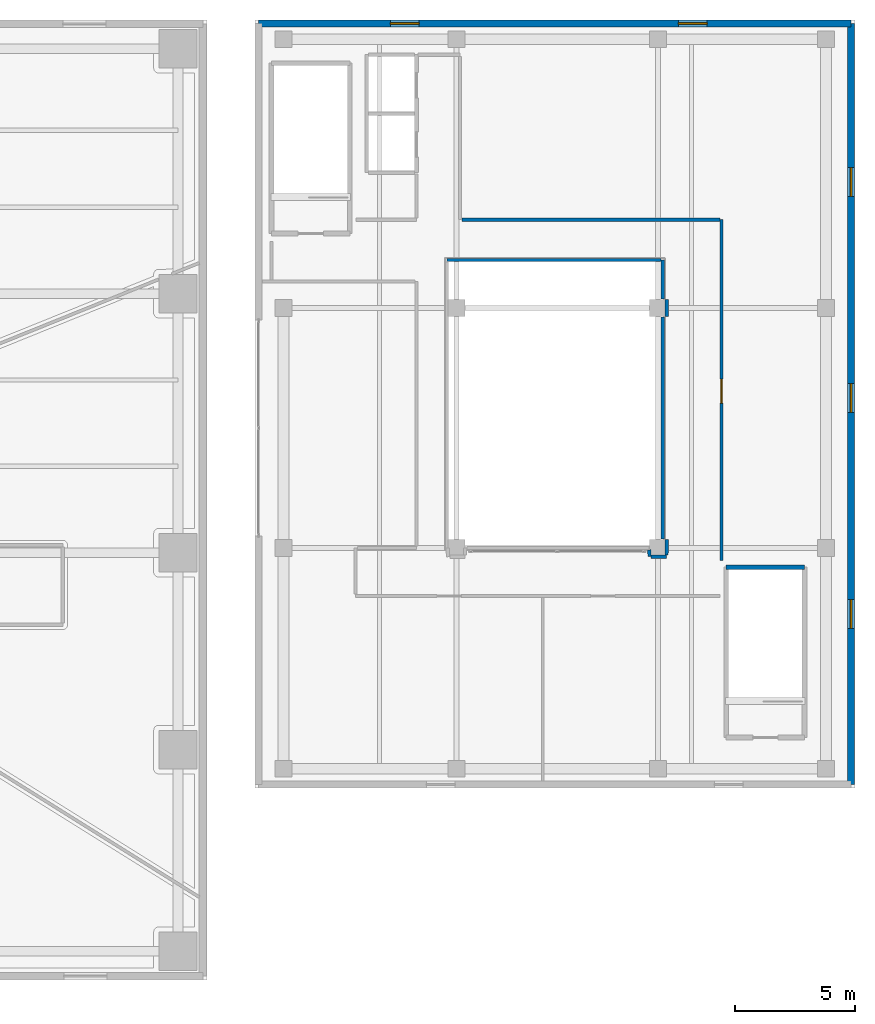
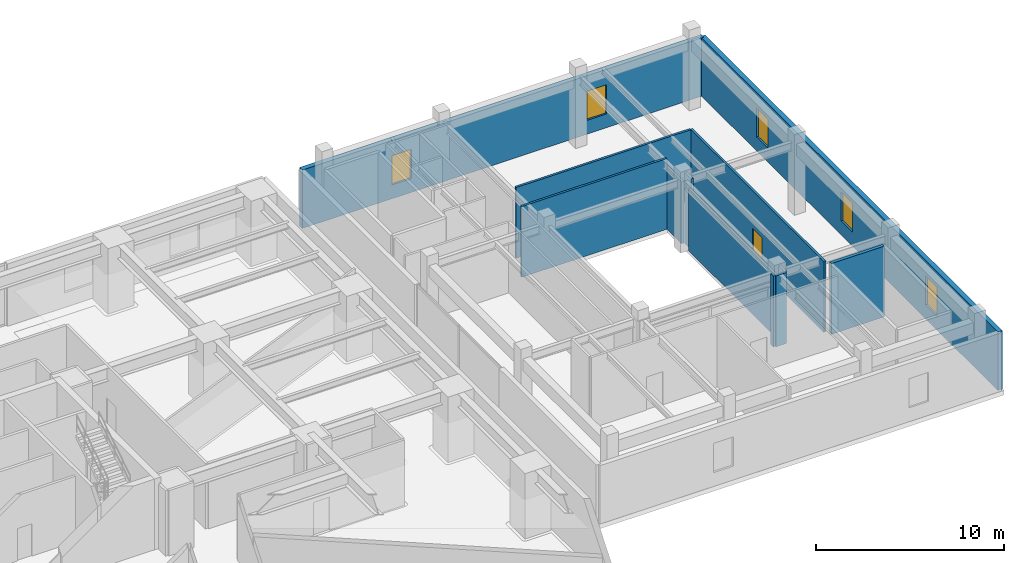
# One storey, part 21 of 25: 12 walls, 5 windows, 1 door, 6 openings.
"""IFC4 building model written with IfcOpenShell, lengths in metres."""

import ifcopenshell
import ifcopenshell.guid

model = None  # the IFC model being written
_history = None  # IfcOwnerHistory: only IFC2X3 demands one
_inside = {}  # id of a spatial element -> (the spatial element, [elements in it])
_under = {}  # id of a project, library or spatial element -> (it, [spatial elements below it])
_declared = {}  # id of a project -> (the project, [libraries it declares])
_typed = {}  # id of a type object -> (the type object, [elements of that type])
_made_of = {}  # id of a material, layer set ... -> (it, [elements and type objects made of it])


def new_model(schema):
    """Start an empty IFC model of exactly this schema.

    Asked for "IFC4X3", IfcOpenShell would pick the latest addendum, in which some entities
    have other attributes; the version numbers below select the first issue.
    IFC2X3 requires an IfcOwnerHistory on every rooted entity: one is made here for all.
    """
    global model, _history
    if schema == "IFC4X3":
        model = ifcopenshell.file(schema_version=(4, 3, 0, 0))
    else:
        model = ifcopenshell.file(schema=schema)
    _inside.clear()
    _under.clear()
    _declared.clear()
    _typed.clear()
    _made_of.clear()
    _history = None
    if model.schema == "IFC2X3":
        org = make("IfcOrganization", Name="unknown")
        user = make(
            "IfcPersonAndOrganization",
            ThePerson=make("IfcPerson", FamilyName="unknown"),
            TheOrganization=org,
        )
        app = make(
            "IfcApplication",
            ApplicationDeveloper=org,
            Version="unknown",
            ApplicationFullName="unknown",
            ApplicationIdentifier="unknown",
        )
        _history = make(
            "IfcOwnerHistory",
            OwningUser=user,
            OwningApplication=app,
            ChangeAction="ADDED",
            CreationDate=0,
        )
    return model


def make(cls, **values):
    """One entity of the class cls with the attributes given. An attribute that is None is left unset."""
    return model.create_entity(
        cls, **{name: value for name, value in values.items() if value is not None}
    )


def rooted(cls, **values):
    """An entity with a GlobalId (a new one), such as an element, a storey or a relation."""
    return make(cls, GlobalId=ifcopenshell.guid.new(), OwnerHistory=_history, **values)


def si_unit(unit_type, name, prefix=None):
    """IfcSIUnit, for example si_unit("LENGTHUNIT", "METRE", prefix="MILLI")."""
    return make("IfcSIUnit", UnitType=unit_type, Prefix=prefix, Name=name)


def assignment(units):
    """IfcUnitAssignment: the units of a project."""
    return None if units is None else make("IfcUnitAssignment", Units=units)


def point(xyz):
    """IfcCartesianPoint."""
    return None if xyz is None else make("IfcCartesianPoint", Coordinates=xyz)


def direction(xyz):
    """IfcDirection."""
    return None if xyz is None else make("IfcDirection", DirectionRatios=xyz)


def frame(location, z_axis=None, x_axis=None):
    """IfcAxis2Placement3D, a coordinate frame: its origin and axes. An axis left out is left unset."""
    return make(
        "IfcAxis2Placement3D",
        Location=point(location),
        Axis=direction(z_axis),
        RefDirection=direction(x_axis),
    )


def frame_2d(location, x_axis=None):
    """IfcAxis2Placement2D, a coordinate frame in the plane: its origin and x axis."""
    return make(
        "IfcAxis2Placement2D", Location=point(location), RefDirection=direction(x_axis)
    )


def origin():
    """The frame at (0, 0, 0) with its axes left unset."""
    return frame((0.0, 0.0, 0.0))


def place(relative_to, where):
    """IfcLocalPlacement: puts the frame where relative to a parent placement (None: the world)."""
    return make(
        "IfcLocalPlacement", PlacementRelTo=relative_to, RelativePlacement=where
    )


def context(
    kind, dimensions, precision=None, world=None, true_north=None, identifier=None
):
    """IfcGeometricRepresentationContext, for example the 3D "Model" context."""
    return make(
        "IfcGeometricRepresentationContext",
        ContextIdentifier=identifier,
        ContextType=kind,
        CoordinateSpaceDimension=dimensions,
        Precision=precision,
        WorldCoordinateSystem=world,
        TrueNorth=true_north,
    )


def subcontext(parent, identifier, kind, view, scale=None):
    """IfcGeometricRepresentationSubContext, for example "Body" below "Model"."""
    return make(
        "IfcGeometricRepresentationSubContext",
        ContextIdentifier=identifier,
        ContextType=kind,
        ParentContext=parent,
        TargetScale=scale,
        TargetView=view,
    )


def project(units=None, contexts=None):
    """IfcProject with its units and contexts."""
    return rooted(
        "IfcProject",
        Name="project",
        RepresentationContexts=contexts,
        UnitsInContext=assignment(units),
    )


def spatial(cls, under=None, at=None, **own):
    """A site, building, storey or space (cls), placed at a placement, below another one or the project."""
    s = rooted(cls, ObjectPlacement=at, **own)
    if under is not None:
        _under.setdefault(under.id(), (under, []))[1].append(s)
    return s


def profile(cls, at=None, kind="AREA", **sizes):
    """A parametric profile (cls). Its sizes go by their IFC names, for example OverallWidth=200.0."""
    return make(cls, ProfileType=kind, Position=at, **sizes)


def rectangle(**sizes):
    """IfcRectangleProfileDef."""
    return profile("IfcRectangleProfileDef", **sizes)


def extrude(swept, where, along, depth):
    """IfcExtrudedAreaSolid: the profile swept, set in the frame where, extruded along a direction by depth."""
    return make(
        "IfcExtrudedAreaSolid",
        SweptArea=swept,
        Position=where,
        ExtrudedDirection=direction(along),
        Depth=depth,
    )


def shape(context_of_items, identifier, shape_type, items):
    """IfcShapeRepresentation: the items that make up one representation, for example the "Body"."""
    return make(
        "IfcShapeRepresentation",
        ContextOfItems=context_of_items,
        RepresentationIdentifier=identifier,
        RepresentationType=shape_type,
        Items=items,
    )


def source(mapping_origin, context_of_items, identifier, shape_type, items):
    """IfcRepresentationMap: a shape defined once, which mapped items show again and again."""
    return make(
        "IfcRepresentationMap",
        MappingOrigin=mapping_origin,
        MappedRepresentation=shape(context_of_items, identifier, shape_type, items),
    )


def transform(
    local_origin,
    x_axis=None,
    y_axis=None,
    z_axis=None,
    scale=None,
    scale2=None,
    scale3=None,
    uniform=True,
):
    """IfcCartesianTransformationOperator3D, or its non-uniform kind. x_axis, y_axis, z_axis: its Axis1, 2, 3."""
    if uniform:
        return make(
            "IfcCartesianTransformationOperator3D",
            Axis1=direction(x_axis),
            Axis2=direction(y_axis),
            LocalOrigin=point(local_origin),
            Scale=scale,
            Axis3=direction(z_axis),
        )
    return make(
        "IfcCartesianTransformationOperator3DnonUniform",
        Axis1=direction(x_axis),
        Axis2=direction(y_axis),
        LocalOrigin=point(local_origin),
        Scale=scale,
        Axis3=direction(z_axis),
        Scale2=scale2,
        Scale3=scale3,
    )


def mapped(mapping_source, mapping_target):
    """IfcMappedItem: shows the shape of a source again, moved by a transform."""
    return make(
        "IfcMappedItem", MappingSource=mapping_source, MappingTarget=mapping_target
    )


def material(Name=None, Category=None):
    """IfcMaterial."""
    return make("IfcMaterial", Name=Name, Category=Category)


def layer(
    of_material, thickness, ventilated=None, Name=None, Category=None, Priority=None
):
    """IfcMaterialLayer: one layer of a wall or slab, of a material (None: an air gap)."""
    return make(
        "IfcMaterialLayer",
        Material=of_material,
        LayerThickness=thickness,
        IsVentilated=ventilated,
        Name=Name,
        Category=Category,
        Priority=Priority,
    )


def layer_set(layers, Name=None):
    """IfcMaterialLayerSet."""
    return make("IfcMaterialLayerSet", MaterialLayers=layers, LayerSetName=Name)


def made_of(thing, what):
    """Note that an element or type object is made of a material, layer set ...; save() writes the relation."""
    if what is not None:
        _made_of.setdefault(what.id(), (what, []))[1].append(thing)
    return thing


def type_object(cls, material=None, **own):
    """A type object (cls), such as IfcWallType, which elements share."""
    return made_of(rooted(cls, **own), material)


def type_shapes(of_type, sources):
    """Give a type object the sources (RepresentationMaps) that its elements show as mapped items."""
    of_type.RepresentationMaps = sources


def element(
    cls,
    number,
    at=None,
    inside=None,
    cuts=None,
    type_object=None,
    material=None,
    context=None,
    identifier="Body",
    shape_type=None,
    held_by="IfcProductDefinitionShape",
    body=None,
    shapes=None,
    **own,
):
    """One element of the class cls, such as IfcWall. Its Tag is "e" and its number.

    at: its placement. inside: the storey or other place that contains it. cuts: it is an
    opening in that element (IfcRelVoidsElement). A single representation is given by context,
    identifier, shape_type and body (its items); several are given by shapes. held_by: the class
    of the entity that holds the representations. save() writes the other relations.
    """
    e = rooted(cls, Tag="e%d" % number, ObjectPlacement=at, **own)
    if body is not None:
        shapes = [shape(context, identifier, shape_type, body)]
    if shapes is not None:
        e.Representation = make(held_by, Representations=shapes)
    if inside is not None:
        _inside.setdefault(inside.id(), (inside, []))[1].append(e)
    if cuts is not None:
        rooted(
            "IfcRelVoidsElement", RelatingBuildingElement=cuts, RelatedOpeningElement=e
        )
    if type_object is not None:
        _typed.setdefault(type_object.id(), (type_object, []))[1].append(e)
    return made_of(e, material)


def fill(opening, filler):
    """IfcRelFillsElement: the door or window that sits in an opening."""
    return rooted(
        "IfcRelFillsElement",
        RelatingOpeningElement=opening,
        RelatedBuildingElement=filler,
    )


def aggregate(whole, parts):
    """IfcRelAggregates: a whole, such as a stair, and the parts it consists of."""
    return rooted("IfcRelAggregates", RelatingObject=whole, RelatedObjects=parts)


def save(model, path):
    """Write the relations noted so far, then the file.

    IfcRelAggregates (storeys below a building ...), IfcRelContainedInSpatialStructure (elements
    in a storey), IfcRelDefinesByType, IfcRelAssociatesMaterial and IfcRelDeclares: one each for
    every whole, place, type object, material and project.
    """
    for whole, parts in _under.values():
        aggregate(whole, parts)
    for where, things in _inside.values():
        rooted(
            "IfcRelContainedInSpatialStructure",
            RelatedElements=things,
            RelatingStructure=where,
        )
    for kind, things in _typed.values():
        rooted("IfcRelDefinesByType", RelatedObjects=things, RelatingType=kind)
    for what, things in _made_of.values():
        rooted("IfcRelAssociatesMaterial", RelatedObjects=things, RelatingMaterial=what)
    for by, libraries in _declared.values():
        rooted("IfcRelDeclares", RelatingContext=by, RelatedDefinitions=libraries)
    model.write(path)


model = new_model("IFC4")

# Units and contexts
model_context = context("Model", 3, precision=1e-05, world=origin(), true_north=direction((0.0, 1.0)))
body_context = subcontext(model_context, "Body", "Model", "MODEL_VIEW")
ifc_project = project(units=[si_unit("LENGTHUNIT", "METRE"), si_unit("AREAUNIT", "SQUARE_METRE"), si_unit("VOLUMEUNIT", "CUBIC_METRE"), si_unit("PLANEANGLEUNIT", "RADIAN"), si_unit("MASSUNIT", "GRAM", prefix="KILO")], contexts=[model_context])

# Site, building, storey
site_placement = place(None, origin())
site = spatial("IfcSite", under=ifc_project, at=site_placement, CompositionType="ELEMENT")
building_placement = place(site_placement, origin())
building = spatial("IfcBuilding", under=site, at=building_placement, Name="Talar Marvaseh", CompositionType="ELEMENT")
storey_placement = place(building_placement, frame((0.0, 0.0, 14.39990234375)))
storey = spatial("IfcBuildingStorey", under=building, at=storey_placement, Name="L03", CompositionType="ELEMENT", Elevation=14.39990234375)

# Wall, opening, door
ifc_material_1 = material(Name="Gypsum Board Partition Assembly")
ifc_layer_1 = layer(ifc_material_1, 0.135009765625)
ifc_layer_set_1 = layer_set([ifc_layer_1], Name="Gypsum Board Partition Assembly")
wall_type_1 = type_object("IfcWallType", Name="Gallery High-Acoustic Partition 135", PredefinedType="PARTITIONING", material=ifc_layer_set_1)
wall_1_placement = place(storey_placement, frame((73.449951171875, 39.679931640625, 0.0), z_axis=(0.0, 0.0, 1.0), x_axis=(0.0, -1.0, 0.0)))
wall_1 = element("IfcWall", 1, at=wall_1_placement, inside=storey, type_object=wall_type_1, Name="L03 Interior Partition Wall", PredefinedType="PARTITIONING", context=body_context, shape_type="SweptSolid", body=[
    extrude(rectangle(XDim=14.2099609375, YDim=0.135009765625, at=frame_2d((7.10498046875, 0.0))), origin(), (0.0, 0.0, 1.0), 4.60009765625),
])
opening_1_placement = place(wall_1_placement, frame((6.639892578125, 0.0, 0.0)))
opening_1 = element("IfcOpeningElement", 2, at=opening_1_placement, cuts=wall_1, Name="Opening DR-RM100", PredefinedType="OPENING", context=body_context, shape_type="SweptSolid", body=[
    extrude(rectangle(XDim=1.0, YDim=2.14990234375, at=frame_2d((0.5, 1.074951171875))), frame((0.0, 0.07763671875, 0.0), z_axis=(0.0, -1.0, 0.0), x_axis=(1.0, 0.0, 0.0)), (0.0, 0.0, 1.0), 0.155029296875),
])
ifc_material_2 = material(Name="Acoustic Engineered Oak Timber", Category="wood")
door_type = type_object("IfcDoorType", Name="Corridor Fire-Rated Gallery Door 1000x2150", OperationType="NOTDEFINED", PredefinedType="DOOR", material=ifc_material_2)
shared_shape_1 = source(origin(), body_context, "Body", "SweptSolid", [
    extrude(rectangle(XDim=1.0, YDim=2.14990234375, at=frame_2d((0.5, 1.074951171875))), frame((0.0, 0.02490234375, 0.0), z_axis=(0.0, -1.0, 0.0), x_axis=(1.0, 0.0, 0.0)), (0.0, 0.0, 1.0), 0.050048828125),
])
type_shapes(door_type, [shared_shape_1])
door_placement = place(opening_1_placement, origin())
door = element("IfcDoor", 3, at=door_placement, inside=storey, type_object=door_type, Name="L03 Traditional Music Salon Door", OperationType="SINGLE_SWING_LEFT", OverallHeight=2.14990234375, OverallWidth=1.0, PredefinedType="DOOR", context=body_context, shape_type="MappedRepresentation", body=[
    mapped(shared_shape_1, transform((0.0, 0.0, 0.0), x_axis=(1.0, 0.0, 0.0), y_axis=(0.0, 1.0, 0.0), z_axis=(0.0, 0.0, 1.0), scale=1.0)),
])
fill(opening_1, door)

# Walls
wall_2_placement = place(storey_placement, frame((62.62353515625, 39.679931640625, 0.0), z_axis=(0.0, 0.0, 1.0), x_axis=(1.0, 0.0, 0.0)))
element("IfcWall", 4, at=wall_2_placement, inside=storey, type_object=wall_type_1, Name="L03 Interior Partition Wall", PredefinedType="PARTITIONING", context=body_context, shape_type="SweptSolid", body=[
    extrude(rectangle(XDim=10.7529296875, YDim=0.135009765625, at=frame_2d((5.37646484375, 0.0))), origin(), (0.0, 0.0, 1.0), 4.60009765625),
])
wall_3_placement = place(storey_placement, frame((70.4365234375, 25.926513671875, 0.0), z_axis=(0.0, 0.0, 1.0), x_axis=(0.021898706873, -0.999760194565, 0.0)))
element("IfcWall", 5, at=wall_3_placement, inside=storey, type_object=wall_type_1, Name="L03 Interior Partition Wall", PredefinedType="PARTITIONING", context=body_context, shape_type="SweptSolid", body=[
    extrude(rectangle(XDim=0.289794921875, YDim=0.135009765625, at=frame_2d((0.14501953125, 0.0))), origin(), (0.0, 0.0, 1.0), 4.60009765625),
])
for number, where, z_axis, x_axis, name in (
    (6, (70.516357421875, 25.63671875, 0.0), (0.0, 0.0, 1.0), (0.999999348925, 0.001141117553, 0.0), "L03 Interior Partition Wall"),
    (7, (71.158935546875, 25.7109375, 0.0), (0.0, 0.0, 1.0), (0.009128565999, 0.999958333773, 0.0), "L03 Interior Partition Wall"),
):
    element("IfcWall", number, at=place(storey_placement, frame(where, z_axis=z_axis, x_axis=x_axis)), inside=storey, type_object=wall_type_1, Name=name, PredefinedType="PARTITIONING", context=body_context, shape_type="SweptSolid", body=[
        extrude(rectangle(XDim=0.641845703125, YDim=0.135009765625, at=frame_2d((0.32080078125, 0.0))), origin(), (0.0, 0.0, 1.0), 4.60009765625),
    ])
wall_4_placement = place(storey_placement, frame((71.0, 26.364990234375, 0.0), z_axis=(0.0, 0.0, 1.0), x_axis=(0.0, 1.0, 0.0)))
element("IfcWall", 8, at=wall_4_placement, inside=storey, type_object=wall_type_1, Name="L03 Interior Partition Wall", PredefinedType="PARTITIONING", context=body_context, shape_type="SweptSolid", body=[
    extrude(rectangle(XDim=9.27001953125, YDim=0.135009765625, at=frame_2d((4.635009765625, 0.0))), origin(), (0.0, 0.0, 1.0), 4.031005859375),
])
wall_5_placement = place(storey_placement, frame((71.1650390625, 35.64990234375, 0.0), z_axis=(0.0, 0.0, 1.0), x_axis=(-0.000347342806, 0.999999939676, 0.0)))
element("IfcWall", 9, at=wall_5_placement, inside=storey, type_object=wall_type_1, Name="L03 Interior Partition Wall", PredefinedType="PARTITIONING", context=body_context, shape_type="SweptSolid", body=[
    extrude(rectangle(XDim=0.702880859375, YDim=0.135009765625, at=frame_2d((0.3515625, 0.0))), origin(), (0.0, 0.0, 1.0), 4.60009765625),
])
wall_6_placement = place(storey_placement, frame((71.0, 36.364990234375, 0.0), z_axis=(0.0, 0.0, 1.0), x_axis=(0.0, 1.0, 0.0)))
element("IfcWall", 10, at=wall_6_placement, inside=storey, type_object=wall_type_1, Name="L03 Interior Partition Wall", PredefinedType="PARTITIONING", context=body_context, shape_type="SweptSolid", body=[
    extrude(rectangle(XDim=1.635009765625, YDim=0.135009765625, at=frame_2d((0.8173828125, 0.0))), origin(), (0.0, 0.0, 1.0), 4.031005859375),
])
wall_7_placement = place(storey_placement, frame((70.926513671875, 38.0, 0.0), z_axis=(0.0, 0.0, 1.0), x_axis=(-1.0, 0.0, 0.0)))
element("IfcWall", 11, at=wall_7_placement, inside=storey, type_object=wall_type_1, Name="L03 Interior Partition Wall", PredefinedType="PARTITIONING", context=body_context, shape_type="SweptSolid", body=[
    extrude(rectangle(XDim=8.926513671875, YDim=0.135009765625, at=frame_2d((4.46337890625, 0.0))), origin(), (0.0, 0.0, 1.0), 4.60009765625),
])

# Wall, openings, windows
ifc_material_3 = material(Name="Precast concrete C45/55", Category="concrete")
ifc_layer_2 = layer(ifc_material_3, 0.2900390625)
ifc_layer_set_2 = layer_set([ifc_layer_2], Name="Precast concrete C45/55")
wall_type_2 = type_object("IfcWallType", Name="Market Hall Precast Limestone Bazaar Wall 290", PredefinedType="SOLIDWALL", material=ifc_layer_set_2)
wall_8_placement = place(storey_placement, frame((54.14990234375, 47.85009765625, 0.0), z_axis=(0.0, 0.0, 1.0), x_axis=(1.0, 0.0, 0.0)))
wall_8 = element("IfcWall", 12, at=wall_8_placement, inside=storey, type_object=wall_type_2, Name="L03 Market Hall North Promenade Wall", PredefinedType="SOLIDWALL", context=body_context, shape_type="SweptSolid", body=[
    extrude(rectangle(XDim=24.7001953125, YDim=0.2900390625, at=frame_2d((12.35009765625, 0.0))), origin(), (0.0, 0.0, 1.0), 3.800048828125),
])
opening_2_placement = place(wall_8_placement, frame((5.5, 0.0, 0.89990234375)))
opening_2 = element("IfcOpeningElement", 13, at=opening_2_placement, cuts=wall_8, Name="Opening WN-MKT12", PredefinedType="OPENING", context=body_context, shape_type="SweptSolid", body=[
    extrude(rectangle(XDim=1.199951171875, YDim=1.89990234375, at=frame_2d((0.60009765625, 0.949951171875))), frame((0.0, 0.155029296875, 0.0), z_axis=(0.0, -1.0, 0.0), x_axis=(1.0, 0.0, 0.0)), (0.0, 0.0, 1.0), 0.31005859375),
])
opening_3_placement = place(wall_8_placement, frame((17.5, 0.0, 0.89990234375)))
opening_3 = element("IfcOpeningElement", 14, at=opening_3_placement, cuts=wall_8, Name="Opening WN-MKT12", PredefinedType="OPENING", context=body_context, shape_type="SweptSolid", body=[
    extrude(rectangle(XDim=1.199951171875, YDim=1.89990234375, at=frame_2d((0.60009765625, 0.949951171875))), frame((0.0, 0.155029296875, 0.0), z_axis=(0.0, -1.0, 0.0), x_axis=(1.0, 0.0, 0.0)), (0.0, 0.0, 1.0), 0.31005859375),
])
ifc_material_4 = material(Name="Laminated Low-E Solar Glass", Category="glass")
window_type = type_object("IfcWindowType", Name="Market Hall Upper Gallery Window 1200x1900", PartitioningType="SINGLE_PANEL", PredefinedType="WINDOW", material=ifc_material_4)
shared_shape_2 = source(origin(), body_context, "Body", "SweptSolid", [
    extrude(rectangle(XDim=1.199951171875, YDim=1.89990234375, at=frame_2d((0.60009765625, 0.949951171875))), frame((0.0, 0.030029296875, 0.0), z_axis=(0.0, -1.0, 0.0), x_axis=(1.0, 0.0, 0.0)), (0.0, 0.0, 1.0), 0.06005859375),
])
type_shapes(window_type, [shared_shape_2])
window_1_placement = place(opening_2_placement, origin())
window_1 = element("IfcWindow", 15, at=window_1_placement, inside=storey, type_object=window_type, Name="L03 Market Bazaar Window", OverallHeight=1.89990234375, OverallWidth=1.199951171875, PartitioningType="SINGLE_PANEL", PredefinedType="WINDOW", context=body_context, shape_type="MappedRepresentation", body=[
    mapped(shared_shape_2, transform((0.0, 0.0, 0.0), x_axis=(1.0, 0.0, 0.0), y_axis=(0.0, 1.0, 0.0), z_axis=(0.0, 0.0, 1.0), scale=1.0)),
])
fill(opening_2, window_1)
window_2_placement = place(opening_3_placement, origin())
window_2 = element("IfcWindow", 16, at=window_2_placement, inside=storey, type_object=window_type, Name="L03 Market Bazaar Window", OverallHeight=1.89990234375, OverallWidth=1.199951171875, PartitioningType="SINGLE_PANEL", PredefinedType="WINDOW", context=body_context, shape_type="MappedRepresentation", body=[
    mapped(shared_shape_2, transform((0.0, 0.0, 0.0), x_axis=(1.0, 0.0, 0.0), y_axis=(0.0, 1.0, 0.0), z_axis=(0.0, 0.0, 1.0), scale=1.0)),
])
fill(opening_3, window_2)

wall_9_placement = place(storey_placement, frame((78.85009765625, 47.85009765625, 0.0), z_axis=(0.0, 0.0, 1.0), x_axis=(0.0, -1.0, 0.0)))
wall_9 = element("IfcWall", 17, at=wall_9_placement, inside=storey, type_object=wall_type_2, Name="L03 Market Hall East Facade Wall", PredefinedType="SOLIDWALL", context=body_context, shape_type="SweptSolid", body=[
    extrude(rectangle(XDim=31.7001953125, YDim=0.2900390625, at=frame_2d((15.85009765625, 0.0))), origin(), (0.0, 0.0, 1.0), 3.800048828125),
])
opening_4_placement = place(wall_9_placement, frame((6.0, 0.0, 0.89990234375)))
opening_4 = element("IfcOpeningElement", 18, at=opening_4_placement, cuts=wall_9, Name="Opening WN-MKT12", PredefinedType="OPENING", context=body_context, shape_type="SweptSolid", body=[
    extrude(rectangle(XDim=1.199951171875, YDim=1.89990234375, at=frame_2d((0.60009765625, 0.949951171875))), frame((0.0, 0.155029296875, 0.0), z_axis=(0.0, -1.0, 0.0), x_axis=(1.0, 0.0, 0.0)), (0.0, 0.0, 1.0), 0.31005859375),
])
opening_5_placement = place(wall_9_placement, frame((15.0, 0.0, 0.89990234375)))
opening_5 = element("IfcOpeningElement", 19, at=opening_5_placement, cuts=wall_9, Name="Opening WN-MKT12", PredefinedType="OPENING", context=body_context, shape_type="SweptSolid", body=[
    extrude(rectangle(XDim=1.199951171875, YDim=1.89990234375, at=frame_2d((0.60009765625, 0.949951171875))), frame((0.0, 0.155029296875, 0.0), z_axis=(0.0, -1.0, 0.0), x_axis=(1.0, 0.0, 0.0)), (0.0, 0.0, 1.0), 0.31005859375),
])
opening_6_placement = place(wall_9_placement, frame((24.0, 0.0, 0.89990234375)))
opening_6 = element("IfcOpeningElement", 20, at=opening_6_placement, cuts=wall_9, Name="Opening WN-MKT12", PredefinedType="OPENING", context=body_context, shape_type="SweptSolid", body=[
    extrude(rectangle(XDim=1.199951171875, YDim=1.89990234375, at=frame_2d((0.60009765625, 0.949951171875))), frame((0.0, 0.155029296875, 0.0), z_axis=(0.0, -1.0, 0.0), x_axis=(1.0, 0.0, 0.0)), (0.0, 0.0, 1.0), 0.31005859375),
])
window_3_placement = place(opening_4_placement, origin())
window_3 = element("IfcWindow", 21, at=window_3_placement, inside=storey, type_object=window_type, Name="L03 Market Bazaar Window", OverallHeight=1.89990234375, OverallWidth=1.199951171875, PartitioningType="SINGLE_PANEL", PredefinedType="WINDOW", context=body_context, shape_type="MappedRepresentation", body=[
    mapped(shared_shape_2, transform((0.0, 0.0, 0.0), x_axis=(1.0, 0.0, 0.0), y_axis=(0.0, 1.0, 0.0), z_axis=(0.0, 0.0, 1.0), scale=1.0)),
])
fill(opening_4, window_3)
window_4_placement = place(opening_5_placement, origin())
window_4 = element("IfcWindow", 22, at=window_4_placement, inside=storey, type_object=window_type, Name="L03 Market Bazaar Window", OverallHeight=1.89990234375, OverallWidth=1.199951171875, PartitioningType="SINGLE_PANEL", PredefinedType="WINDOW", context=body_context, shape_type="MappedRepresentation", body=[
    mapped(shared_shape_2, transform((0.0, 0.0, 0.0), x_axis=(1.0, 0.0, 0.0), y_axis=(0.0, 1.0, 0.0), z_axis=(0.0, 0.0, 1.0), scale=1.0)),
])
fill(opening_5, window_4)
window_5_placement = place(opening_6_placement, origin())
window_5 = element("IfcWindow", 23, at=window_5_placement, inside=storey, type_object=window_type, Name="L03 Market Bazaar Window", OverallHeight=1.89990234375, OverallWidth=1.199951171875, PartitioningType="SINGLE_PANEL", PredefinedType="WINDOW", context=body_context, shape_type="MappedRepresentation", body=[
    mapped(shared_shape_2, transform((0.0, 0.0, 0.0), x_axis=(1.0, 0.0, 0.0), y_axis=(0.0, 1.0, 0.0), z_axis=(0.0, 0.0, 1.0), scale=1.0)),
])
fill(opening_6, window_5)

# Wall
ifc_material_5 = material(Name="Concrete C50/60", Category="concrete")
ifc_layer_3 = layer(ifc_material_5, 0.199951171875)
ifc_layer_set_3 = layer_set([ifc_layer_3], Name="Concrete C50/60")
wall_type_3 = type_object("IfcWallType", Name="Stair Shaft Structural Concrete Shear Wall 200", PredefinedType="SHEAR", material=ifc_layer_set_3)
wall_10_placement = place(storey_placement, frame((73.639892578125, 25.199951171875, 0.0), z_axis=(0.0, 0.0, 1.0), x_axis=(1.0, 0.0, 0.0)))
element("IfcWall", 24, at=wall_10_placement, inside=storey, type_object=wall_type_3, Name="L03 MH-ST2 North Shear Wall", PredefinedType="SHEAR", context=body_context, shape_type="SweptSolid", body=[
    extrude(rectangle(XDim=3.260009765625, YDim=0.199951171875, at=frame_2d((1.6298828125, 0.0))), origin(), (0.0, 0.0, 1.0), 4.60009765625),
])

save(model, "model.ifc")
